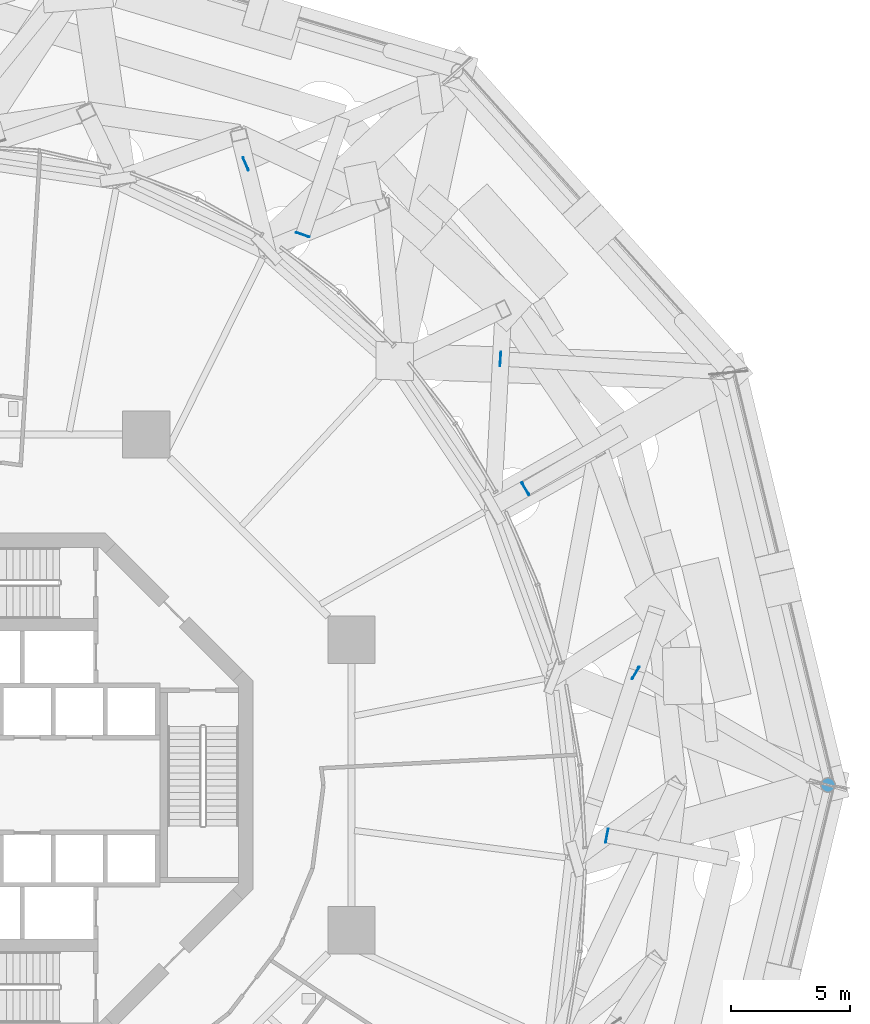
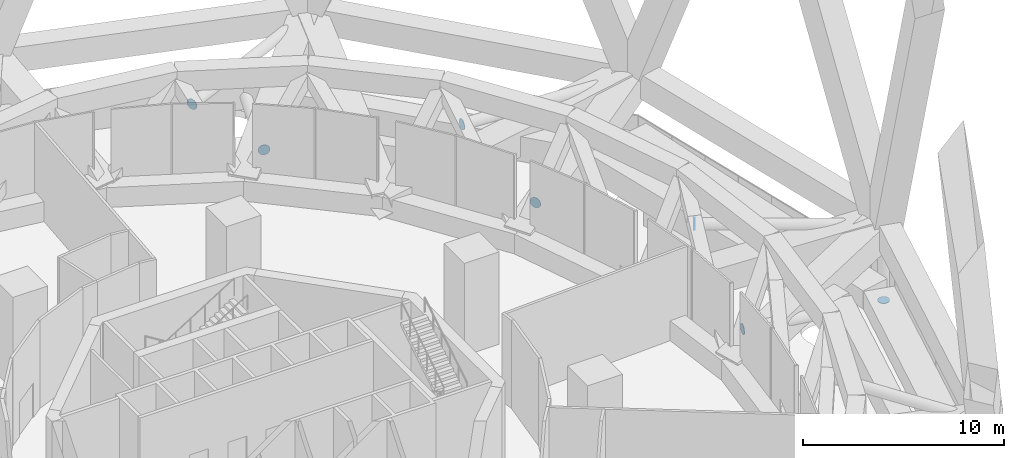
# One storey, part 45 of 49: 7 discrete accessories.
"""IFC4 building model written with IfcOpenShell, lengths in metres."""

from ifc_helpers import new_model, si_unit, direction, frame, origin, origin_2d, place, context, subcontext, project, spatial, circle, extrude, material, layer, layer_set, type_object, element, save


model = new_model("IFC4")

# Units and contexts
model_context = context("Model", 3, precision=1e-05, world=origin(), true_north=direction((0.0, 1.0)))
body_context = subcontext(model_context, "Body", "Model", "MODEL_VIEW")
ifc_project = project(units=[si_unit("LENGTHUNIT", "METRE"), si_unit("AREAUNIT", "SQUARE_METRE"), si_unit("VOLUMEUNIT", "CUBIC_METRE"), si_unit("PLANEANGLEUNIT", "RADIAN"), si_unit("MASSUNIT", "GRAM", prefix="KILO")], contexts=[model_context])

# Site, building, storey
site_placement = place(None, origin())
site = spatial("IfcSite", under=ifc_project, at=site_placement, CompositionType="ELEMENT")
building_placement = place(site_placement, origin())
building = spatial("IfcBuilding", under=site, at=building_placement, Name="Nagisa Residences", CompositionType="ELEMENT")
storey_placement = place(building_placement, frame((0.0, 0.0, 160.300048828125)))
storey = spatial("IfcBuildingStorey", under=building, at=storey_placement, Name="L40", CompositionType="ELEMENT", Elevation=160.300048828125)

# Discrete accessories
ifc_material_1 = material(Name="Steel ASTM A572 Gr 50", Category="steel")
ifc_layer_1 = layer(ifc_material_1, 0.030029296875)
ifc_layer_set_1 = layer_set([ifc_layer_1], Name="End plate")
discrete_accessory_type_1 = type_object("IfcDiscreteAccessoryType", Name="End plate", PredefinedType="ANCHORPLATE", material=ifc_layer_set_1)
discrete_accessory_1_placement = place(storey_placement, frame((34.875, 0.0, -0.89013671875), z_axis=(0.0, 0.0, -1.0), x_axis=(1.0, 0.0, 0.0)))
element("IfcDiscreteAccessory", 1, at=discrete_accessory_1_placement, inside=storey, type_object=discrete_accessory_type_1, Name="End plate DH301", PredefinedType="ANCHORPLATE", context=body_context, shape_type="SweptSolid", body=[
    extrude(circle(Radius=0.304931640625, at=origin_2d()), origin(), (0.0, 0.0, 1.0), 0.030029296875),
])
ifc_material_2 = material(Name="Steel ASTM A572 Gr 50", Category="steel")
ifc_layer_2 = layer(ifc_material_2, 0.030029296875)
ifc_layer_set_2 = layer_set([ifc_layer_2], Name="Node plate")
discrete_accessory_type_2 = type_object("IfcDiscreteAccessoryType", Name="Node plate", PredefinedType="ANCHORPLATE", material=ifc_layer_set_2)
for number, where, z_axis, x_axis, name in (
    (2, (25.56640625, -2.138671875, 1.89990234375), (-0.982409559795, 0.186739007234, 0.0), (-0.186739007234, -0.982409559795, 0.0), "Node plate ST3A01"),
    (3, (22.127197265625, 12.50146484375, 1.89990234375), (-0.863187603129, -0.504883315038, 0.0), (0.504883315038, -0.863187603129, 0.0), "Node plate ST3A02"),
    (4, (12.73095703125, 23.218994140625, 1.89990234375), (-0.325990683319, -0.945372981626, 0.0), (0.945372981626, -0.325990683319, 0.0), "Node plate ST3A03"),
    (5, (26.775146484375, 4.7158203125, 3.699951171875), (-0.863187603129, 0.504883315038, 0.0), (-0.504883315038, -0.863187603129, 0.0), "Node plate ST4B01"),
):
    element("IfcDiscreteAccessory", number, at=place(storey_placement, frame(where, z_axis=z_axis, x_axis=x_axis)), inside=storey, type_object=discrete_accessory_type_2, Name=name, PredefinedType="ANCHORPLATE", context=body_context, shape_type="SweptSolid", body=[
        extrude(circle(Radius=0.304931640625, at=origin_2d()), origin(), (0.0, 0.0, 1.0), 0.030029296875),
    ])
discrete_accessory_2_placement = place(storey_placement, frame((21.078125, 17.970458984375, 3.699951171875), z_axis=(-0.99785694905, 0.065433242561, 0.0), x_axis=(-0.065433242561, -0.99785694905, 0.0)))
element("IfcDiscreteAccessory", 6, at=discrete_accessory_2_placement, inside=storey, type_object=discrete_accessory_type_2, Name="Node plate ST4B02", PredefinedType="ANCHORPLATE", context=body_context, shape_type="SweptSolid", body=[
    extrude(circle(Radius=0.304931640625, at=origin_2d()), origin(), (0.0, 0.0, 1.0), 0.02978515625),
])
discrete_accessory_3_placement = place(storey_placement, frame((10.33447265625, 26.199951171875, 3.699951171875), z_axis=(-0.917456861627, -0.397835276281, 0.0), x_axis=(0.397835276281, -0.917456861627, 0.0)))
element("IfcDiscreteAccessory", 7, at=discrete_accessory_3_placement, inside=storey, type_object=discrete_accessory_type_2, Name="Node plate ST4B03", PredefinedType="ANCHORPLATE", context=body_context, shape_type="SweptSolid", body=[
    extrude(circle(Radius=0.304931640625, at=origin_2d()), origin(), (0.0, 0.0, 1.0), 0.030029296875),
])

save(model, "model.ifc")
